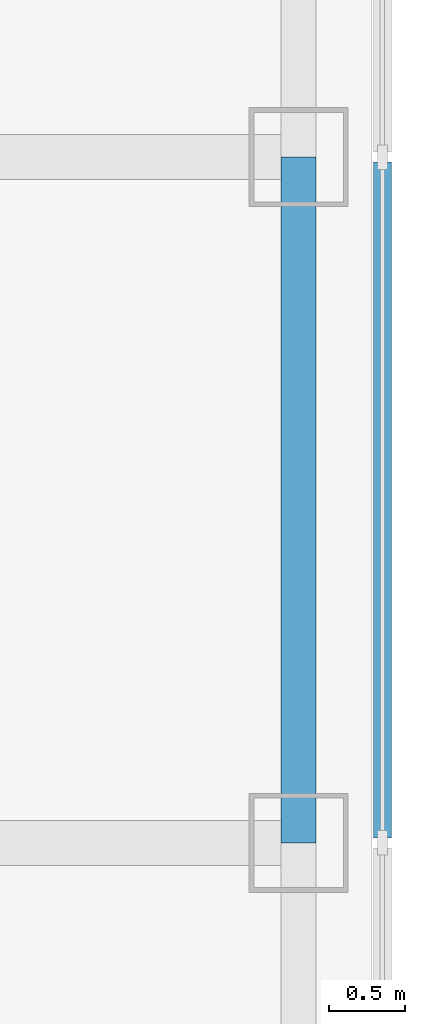
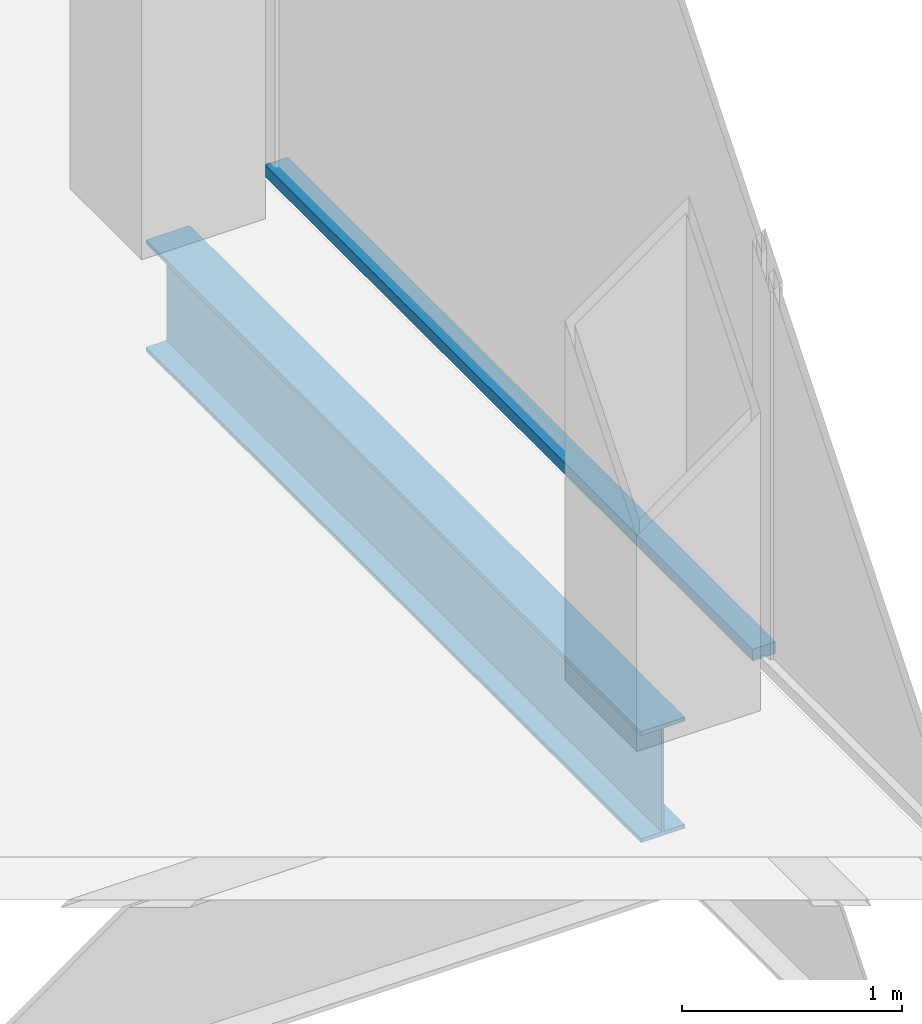
# One storey, part 5 of 14: 1 beam, 1 member, 1 element without a shape of its own.
"""IFC4 building model written with IfcOpenShell, lengths in metres."""

from ifc_helpers import new_model, si_unit, direction, frame, origin, origin_2d, place, context, subcontext, project, spatial, rectangle, i_section, extrude, material, material_profile, profile_set, type_object, element, aggregate, save


model = new_model("IFC4")

# Units and contexts
model_context = context("Model", 3, precision=1e-05, world=origin(), true_north=direction((0.0, 1.0)))
body_context = subcontext(model_context, "Body", "Model", "MODEL_VIEW")
ifc_project = project(units=[si_unit("LENGTHUNIT", "METRE"), si_unit("AREAUNIT", "SQUARE_METRE"), si_unit("VOLUMEUNIT", "CUBIC_METRE"), si_unit("PLANEANGLEUNIT", "RADIAN"), si_unit("MASSUNIT", "GRAM", prefix="KILO")], contexts=[model_context])

# Site, building, storey
site_placement = place(None, origin())
site = spatial("IfcSite", under=ifc_project, at=site_placement, CompositionType="ELEMENT")
building_placement = place(site_placement, origin())
building = spatial("IfcBuilding", under=site, at=building_placement, Name="Corais Broadcast Tower", CompositionType="ELEMENT")
storey_placement = place(building_placement, frame((0.0, 0.0, 246.60009765625)))
storey = spatial("IfcBuildingStorey", under=building, at=storey_placement, Name="L57", CompositionType="ELEMENT", Elevation=246.60009765625)

# Beam
ifc_material_1 = material(Name="Steel ASTM A572 Grade 50", Category="steel")
ifc_material_profile_1 = material_profile(ifc_material_1, i_section(OverallWidth=0.22998046875, OverallDepth=0.616943359375, WebThickness=0.01318359375, FlangeThickness=0.022216796875, at=origin_2d()), Name="W610x140")
ifc_profile_set_1 = profile_set([ifc_material_profile_1], Name="Steel ASTM A572 Grade 50")
beam_type = type_object("IfcBeamType", Name="Spandrel W610x140", PredefinedType="BEAM", material=ifc_profile_set_1)
beam_placement = place(storey_placement, frame((54.0, 27.0, -0.468505859375), z_axis=(0.0, 1.0, 0.0), x_axis=(-1.0, 0.0, 0.0)))
element("IfcBeam", 1, at=beam_placement, inside=storey, type_object=beam_type, Name="SB3 G/15 to H/15", PredefinedType="BEAM", context=body_context, shape_type="SweptSolid", body=[
    extrude(i_section(OverallWidth=0.22998046875, OverallDepth=0.616943359375, WebThickness=0.01318359375, FlangeThickness=0.022216796875, at=origin_2d()), origin(), (0.0, 0.0, 1.0), 4.5),
])

# Curtain wall, member
ifc_material_2 = material(Name="Aluminium and glass", Category="aluminium")
curtain_wall_type = type_object("IfcCurtainWallType", Name="Unitised fritted curtain wall CW3", PredefinedType="NOTDEFINED", material=ifc_material_2)
curtain_wall_placement = place(storey_placement, origin())
curtain_wall = element("IfcCurtainWall", 2, at=curtain_wall_placement, inside=storey, type_object=curtain_wall_type, Name="CW3 curtain wall L57 6", PredefinedType="NOTDEFINED")
ifc_material_3 = material(Name="Aluminium 6063-T6", Category="aluminium")
ifc_material_profile_2 = material_profile(ifc_material_3, rectangle(XDim=0.1201171875, YDim=0.06494140625, at=origin_2d()), Name="Transom CW3 65x120")
ifc_profile_set_2 = profile_set([ifc_material_profile_2], Name="Aluminium 6063-T6")
member_type = type_object("IfcMemberType", Name="Transom CW3 65x120", PredefinedType="USERDEFINED", material=ifc_profile_set_2)
member_placement = place(storey_placement, frame((54.550048828125, 31.467529296875, 0.032470703125), z_axis=(0.0, -1.0, 0.0), x_axis=(1.0, 0.0, 0.0)))
member = element("IfcMember", 3, at=member_placement, type_object=member_type, Name="CW3 transom 3.1", ObjectType="TRANSOM", PredefinedType="USERDEFINED", context=body_context, shape_type="SweptSolid", body=[
    extrude(rectangle(XDim=0.1201171875, YDim=0.06494140625, at=origin_2d()), origin(), (0.0, 0.0, 1.0), 4.43505859375),
])
aggregate(curtain_wall, [member])

save(model, "model.ifc")
